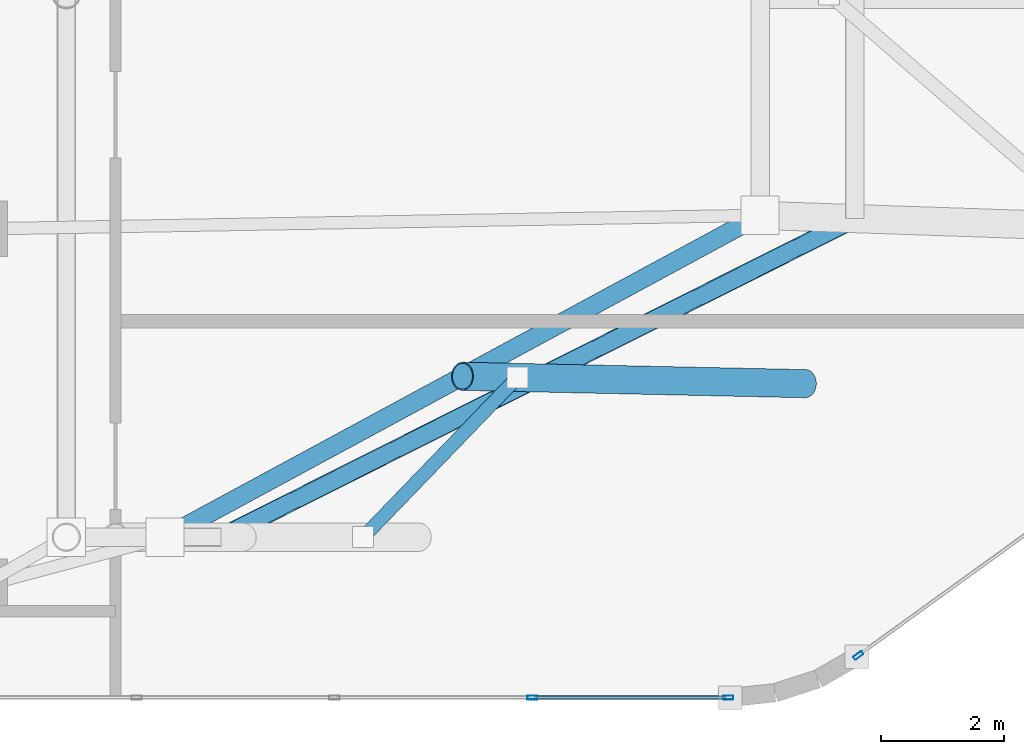
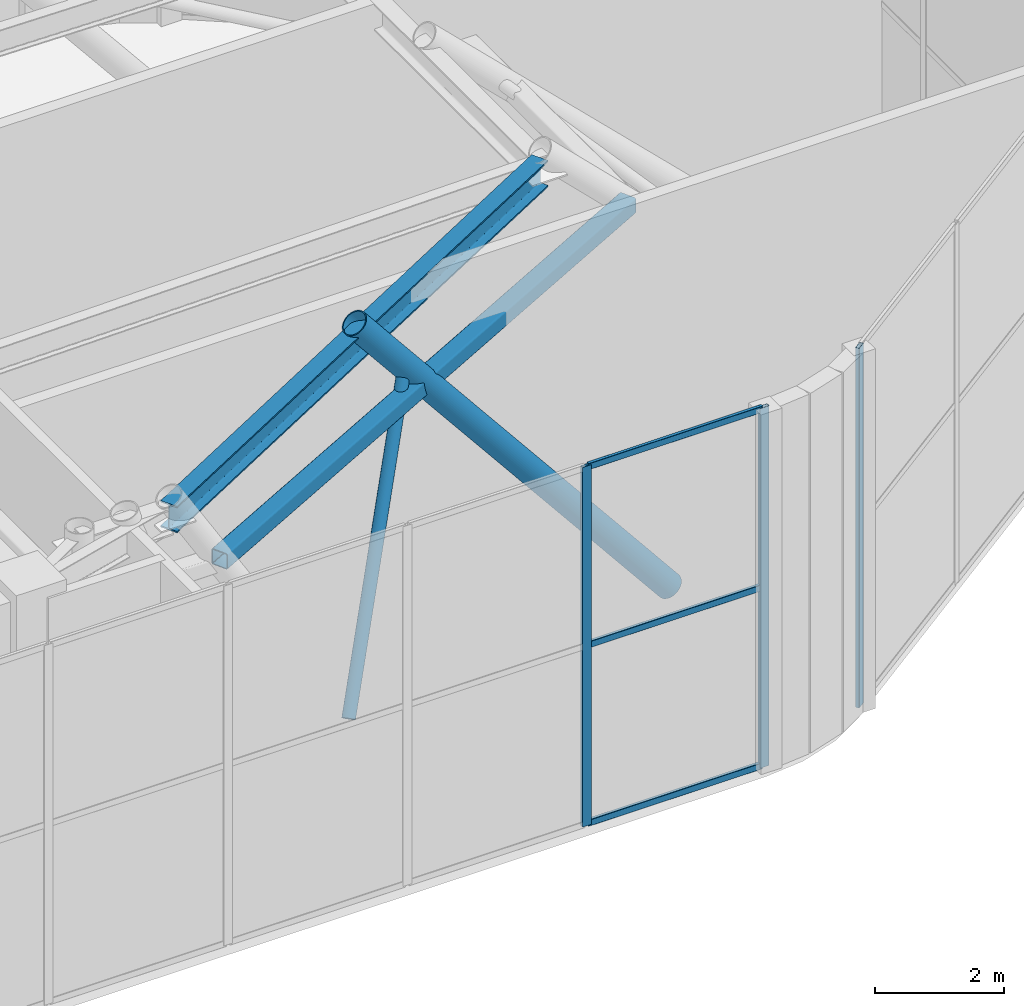
# One storey, part 10 of 23: 9 members, 1 beam, 2 elements without a shape of their own.
"""IFC4 building model written with IfcOpenShell, lengths in metres."""

from ifc_helpers import new_model, si_unit, direction, frame, origin, origin_2d, place, context, subcontext, project, spatial, hollow_rectangle, hollow_circle, i_section, extrude, material, layer, layer_set, material_profile, profile_set, type_object, element, aggregate, save


model = new_model("IFC4")

# Units and contexts
model_context = context("Model", 3, precision=1e-05, world=origin(), true_north=direction((0.0, 1.0)))
body_context = subcontext(model_context, "Body", "Model", "MODEL_VIEW")
ifc_project = project(units=[si_unit("LENGTHUNIT", "METRE"), si_unit("AREAUNIT", "SQUARE_METRE"), si_unit("VOLUMEUNIT", "CUBIC_METRE"), si_unit("PLANEANGLEUNIT", "RADIAN"), si_unit("MASSUNIT", "GRAM", prefix="KILO")], contexts=[model_context])

# Site, building, storey
site_placement = place(None, origin())
site = spatial("IfcSite", under=ifc_project, at=site_placement, CompositionType="ELEMENT")
building_placement = place(site_placement, origin())
building = spatial("IfcBuilding", under=site, at=building_placement, Name="An Khanh Terracotta Commons", CompositionType="ELEMENT")
storey_placement = place(building_placement, frame((0.0, 0.0, 322.0)))
storey = spatial("IfcBuildingStorey", under=building, at=storey_placement, Name="L81 Crown Heat-Recovery Plant", CompositionType="ELEMENT", Elevation=322.0)

# Beam
ifc_material_1 = material(Name="Steel S355J2", Category="steel")
ifc_material_profile_1 = material_profile(ifc_material_1, i_section(OverallWidth=0.300048828125, OverallDepth=0.5, WebThickness=0.014404296875, FlangeThickness=0.028076171875, FilletRadius=0.027099609375, at=origin_2d()), Name="HEB500")
ifc_profile_set_1 = profile_set([ifc_material_profile_1], Name="Steel S355J2")
beam_type = type_object("IfcBeamType", Name="BM-HEB500", PredefinedType="BEAM", material=ifc_profile_set_1)
beam_placement = place(storey_placement, frame((40.199951171875, 15.199951171875, 6.330078125), z_axis=(0.87956634506, 0.475776254806, 0.0), x_axis=(-0.475776254806, 0.87956634506, 0.0)))
element("IfcBeam", 1, at=beam_placement, inside=storey, type_object=beam_type, Name="L81 Crown Heat-Recovery Plant CROWN FRAME Ring Beam 2", PredefinedType="BEAM", context=body_context, shape_type="SweptSolid", body=[
    extrude(i_section(OverallWidth=0.300048828125, OverallDepth=0.5, WebThickness=0.014404296875, FlangeThickness=0.028076171875, FilletRadius=0.027099609375, at=origin_2d()), origin(), (0.0, 0.0, 1.0), 10.971435546875),
])

# Members
ifc_material_2 = material(Name="Steel S460ML", Category="steel")
ifc_material_profile_2 = material_profile(ifc_material_2, hollow_circle(Radius=0.109619140625, WallThickness=0.010009765625, at=origin_2d()), Name="CHS219.1x10")
ifc_profile_set_2 = profile_set([ifc_material_profile_2], Name="Steel S460ML")
member_type_1 = type_object("IfcMemberType", Name="CROWN FRAME BRACE CHS219", PredefinedType="BRACE", material=ifc_profile_set_2)
member_1_placement = place(storey_placement, frame((43.4150390625, 15.199951171875, 1.385009765625), z_axis=(0.449380052698, 0.465749072195, 0.762322353068), x_axis=(-0.719639766433, 0.6943476122, 0.0)))
element("IfcMember", 2, at=member_1_placement, inside=storey, type_object=member_type_1, Name="L81 Crown Heat-Recovery Plant CROWN FRAME Wind Diagonal 2", PredefinedType="BRACE", context=body_context, shape_type="SweptSolid", body=[
    extrude(hollow_circle(Radius=0.109619140625, WallThickness=0.010009765625, at=origin_2d()), origin(), (0.0, 0.0, 1.0), 5.563232421875),
])
ifc_material_profile_3 = material_profile(ifc_material_2, hollow_circle(Radius=0.228515625, WallThickness=0.02001953125, at=origin_2d()), Name="CHS457x20")
ifc_profile_set_3 = profile_set([ifc_material_profile_3], Name="Steel S460ML")
member_type_2 = type_object("IfcMemberType", Name="CROWN FRAME RIB CHS457", PredefinedType="STRUT", material=ifc_profile_set_3)
member_2_placement = place(storey_placement, frame((50.5859375, 17.68994140625, -0.1201171875), z_axis=(-0.630770718879, 0.013624514606, 0.775849645747), x_axis=(-0.021594752332, -0.999766806146, 0.0)))
element("IfcMember", 3, at=member_2_placement, inside=storey, type_object=member_type_2, Name="L81 Crown Heat-Recovery Plant CROWN FRAME Facet Strut 2", PredefinedType="STRUT", context=body_context, shape_type="SweptSolid", body=[
    extrude(hollow_circle(Radius=0.228515625, WallThickness=0.02001953125, at=origin_2d()), origin(), (0.0, 0.0, 1.0), 8.816162109375),
])
ifc_material_profile_4 = material_profile(ifc_material_2, hollow_rectangle(XDim=0.300048828125, YDim=0.300048828125, WallThickness=0.01611328125, InnerFilletRadius=0.01611328125, OuterFilletRadius=0.031982421875, at=origin_2d()), Name="SHS300x300x16")
ifc_profile_set_4 = profile_set([ifc_material_profile_4], Name="Steel S460ML")
member_type_3 = type_object("IfcMemberType", Name="CROWN FRAME RING SHS300", PredefinedType="CHORD", material=ifc_profile_set_4)
member_3_placement = place(storey_placement, frame((41.10693359375, 15.199951171875, 5.215087890625), z_axis=(0.89353866144, 0.448986258712, 0.0), x_axis=(-0.448986258712, 0.89353866144, 0.0)))
element("IfcMember", 4, at=member_3_placement, inside=storey, type_object=member_type_3, Name="L81 Crown Heat-Recovery Plant CROWN FRAME Sill Ring Chord 2", PredefinedType="CHORD", context=body_context, shape_type="SweptSolid", body=[
    extrude(hollow_rectangle(XDim=0.300048828125, YDim=0.300048828125, WallThickness=0.01611328125, InnerFilletRadius=0.01611328125, OuterFilletRadius=0.031982421875, at=origin_2d()), origin(), (0.0, 0.0, 1.0), 11.508056640625),
])

# Curtain wall, members
ifc_material_3 = material(Name="Anodised Aluminium 6063-T6", Category="aluminium")
ifc_layer = layer(ifc_material_3, 0.18994140625, Name="Anodised Aluminium 6063-T6")
ifc_layer_set = layer_set([ifc_layer], Name="Anodised Aluminium 6063-T6")
curtain_wall_type = type_object("IfcCurtainWallType", Name="CW-SYS-06", PredefinedType="USERDEFINED", material=ifc_layer_set)
curtain_wall_1_placement = place(storey_placement, origin())
curtain_wall_1 = element("IfcCurtainWall", 5, at=curtain_wall_1_placement, inside=storey, type_object=curtain_wall_type, Name="L81 Crown Heat-Recovery Plant CW-06 Unitised Curtain Wall CW-L81-04", ObjectType="UNITISED CURTAIN WALL", PredefinedType="USERDEFINED")
ifc_material_profile_5 = material_profile(ifc_material_3, hollow_rectangle(XDim=0.06494140625, YDim=0.1650390625, WallThickness=0.00390625, InnerFilletRadius=0.00390625, OuterFilletRadius=0.008056640625, at=origin_2d()), Name="RHS165x65x4")
ifc_profile_set_5 = profile_set([ifc_material_profile_5], Name="Anodised Aluminium 6063-T6")
member_type_4 = type_object("IfcMemberType", Name="CWM-RHS165x65x4", PredefinedType="MULLION", material=ifc_profile_set_5)
member_4_placement = place(storey_placement, frame((46.15869140625, 12.60009765625, 0.0), z_axis=(0.0, 0.0, 1.0), x_axis=(0.0, 1.0, 0.0)))
member_4 = element("IfcMember", 6, at=member_4_placement, type_object=member_type_4, Name="CW-06 mullion 8", PredefinedType="MULLION", context=body_context, shape_type="SweptSolid", body=[
    extrude(hollow_rectangle(XDim=0.06494140625, YDim=0.1650390625, WallThickness=0.00390625, InnerFilletRadius=0.00390625, OuterFilletRadius=0.008056640625, at=origin_2d()), origin(), (0.0, 0.0, 1.0), 6.800048828125),
])
member_5_placement = place(storey_placement, frame((49.33447265625, 12.60009765625, 0.0), z_axis=(0.0, 0.0, 1.0), x_axis=(0.0, 1.0, 0.0)))
member_5 = element("IfcMember", 7, at=member_5_placement, type_object=member_type_4, Name="CW-06 mullion 9", PredefinedType="MULLION", context=body_context, shape_type="SweptSolid", body=[
    extrude(hollow_rectangle(XDim=0.06494140625, YDim=0.1650390625, WallThickness=0.00390625, InnerFilletRadius=0.00390625, OuterFilletRadius=0.008056640625, at=origin_2d()), origin(), (0.0, 0.0, 1.0), 6.800048828125),
])

# Curtain wall, member
curtain_wall_2_placement = place(storey_placement, origin())
curtain_wall_2 = element("IfcCurtainWall", 8, at=curtain_wall_2_placement, inside=storey, type_object=curtain_wall_type, Name="L81 Crown Heat-Recovery Plant CW-06 Unitised Curtain Wall CW-L81-08", ObjectType="UNITISED CURTAIN WALL", PredefinedType="USERDEFINED")
member_6_placement = place(storey_placement, frame((51.4443359375, 13.282958984375, 0.0), z_axis=(0.0, 0.0, 1.0), x_axis=(-0.585829698889, 0.810434182337, 0.0)))
member_6 = element("IfcMember", 9, at=member_6_placement, type_object=member_type_4, Name="CW-06 mullion 1", PredefinedType="MULLION", context=body_context, shape_type="SweptSolid", body=[
    extrude(hollow_rectangle(XDim=0.06494140625, YDim=0.1650390625, WallThickness=0.00390625, InnerFilletRadius=0.00390625, OuterFilletRadius=0.008056640625, at=origin_2d()), origin(), (0.0, 0.0, 1.0), 6.800048828125),
])
aggregate(curtain_wall_2, [member_6])

# Member
ifc_material_profile_6 = material_profile(ifc_material_3, hollow_rectangle(XDim=0.06005859375, YDim=0.1201171875, WallThickness=0.003662109375, InnerFilletRadius=0.003662109375, OuterFilletRadius=0.007080078125, at=origin_2d()), Name="RHS120x60x3.6")
ifc_profile_set_6 = profile_set([ifc_material_profile_6], Name="Anodised Aluminium 6063-T6")
member_type_5 = type_object("IfcMemberType", Name="CWT-RHS120x60x3.6", PredefinedType="USERDEFINED", material=ifc_profile_set_6)
member_7_placement = place(storey_placement, frame((46.191162109375, 12.60009765625, 0.030029296875), z_axis=(1.0, 0.0, 0.0), x_axis=(0.0, 1.0, 0.0)))
member_7 = element("IfcMember", 10, at=member_7_placement, type_object=member_type_5, Name="CW-06 transom 8.1", ObjectType="TRANSOM", PredefinedType="USERDEFINED", context=body_context, shape_type="SweptSolid", body=[
    extrude(hollow_rectangle(XDim=0.06005859375, YDim=0.1201171875, WallThickness=0.003662109375, InnerFilletRadius=0.003662109375, OuterFilletRadius=0.007080078125, at=origin_2d()), origin(), (0.0, 0.0, 1.0), 3.11083984375),
])

member_8_placement = place(storey_placement, frame((46.191162109375, 12.60009765625, 3.39990234375), z_axis=(1.0, 0.0, 0.0), x_axis=(0.0, 1.0, 0.0)))
member_8 = element("IfcMember", 11, at=member_8_placement, type_object=member_type_5, Name="CW-06 transom 8.2", ObjectType="TRANSOM", PredefinedType="USERDEFINED", context=body_context, shape_type="SweptSolid", body=[
    extrude(hollow_rectangle(XDim=0.06005859375, YDim=0.1201171875, WallThickness=0.003662109375, InnerFilletRadius=0.003662109375, OuterFilletRadius=0.007080078125, at=origin_2d()), origin(), (0.0, 0.0, 1.0), 3.11083984375),
])

member_9_placement = place(storey_placement, frame((46.191162109375, 12.60009765625, 6.77001953125), z_axis=(1.0, 0.0, 0.0), x_axis=(0.0, 1.0, 0.0)))
member_9 = element("IfcMember", 12, at=member_9_placement, type_object=member_type_5, Name="CW-06 transom 8.3", ObjectType="TRANSOM", PredefinedType="USERDEFINED", context=body_context, shape_type="SweptSolid", body=[
    extrude(hollow_rectangle(XDim=0.06005859375, YDim=0.1201171875, WallThickness=0.003662109375, InnerFilletRadius=0.003662109375, OuterFilletRadius=0.007080078125, at=origin_2d()), origin(), (0.0, 0.0, 1.0), 3.11083984375),
])

aggregate(curtain_wall_1, [member_4, member_5, member_7, member_8, member_9])

save(model, "model.ifc")
